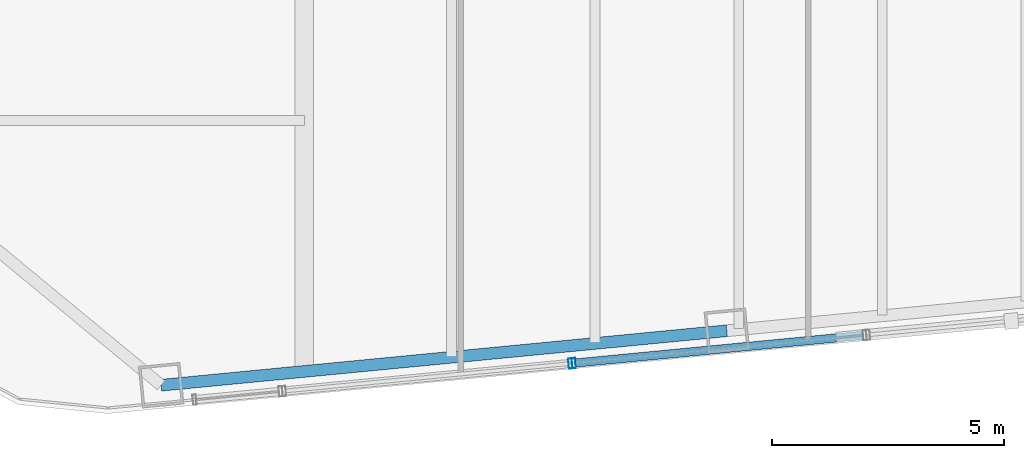
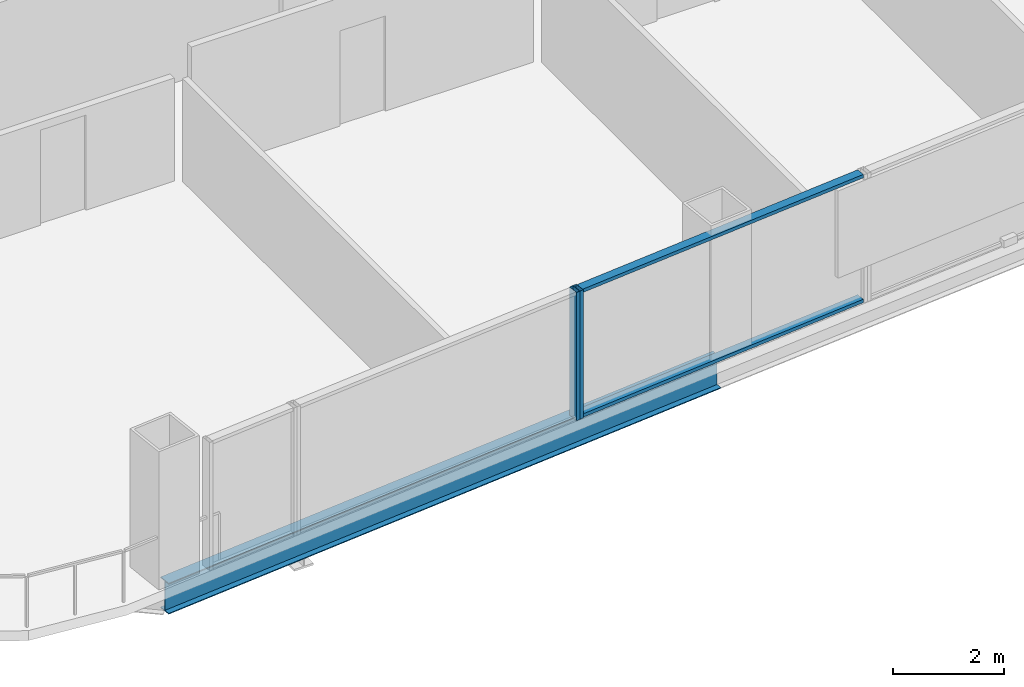
# One storey, part 4 of 28: 4 members, 1 beam, 2 elements without a shape of their own.
"""IFC4 building model written with IfcOpenShell, lengths in metres."""

from ifc_helpers import new_model, si_unit, direction, frame, origin, origin_2d, place, context, subcontext, project, spatial, hollow_rectangle, i_section, extrude, material, layer, layer_set, material_profile, profile_set, type_object, element, aggregate, save


model = new_model("IFC4")

# Units and contexts
model_context = context("Model", 3, precision=1e-05, world=origin(), true_north=direction((0.0, 1.0)))
body_context = subcontext(model_context, "Body", "Model", "MODEL_VIEW")
ifc_project = project(units=[si_unit("LENGTHUNIT", "METRE"), si_unit("AREAUNIT", "SQUARE_METRE"), si_unit("VOLUMEUNIT", "CUBIC_METRE"), si_unit("PLANEANGLEUNIT", "RADIAN"), si_unit("MASSUNIT", "GRAM", prefix="KILO")], contexts=[model_context])

# Site, building, storey
site_placement = place(None, origin())
site = spatial("IfcSite", under=ifc_project, at=site_placement, CompositionType="ELEMENT")
building_placement = place(site_placement, origin())
building = spatial("IfcBuilding", under=site, at=building_placement, Name="Qhalaya Broadcast Tower", CompositionType="ELEMENT")
storey_placement = place(building_placement, frame((0.0, 0.0, 90.800048828125)))
storey = spatial("IfcBuildingStorey", under=building, at=storey_placement, Name="L26", CompositionType="ELEMENT", Elevation=90.800048828125)

# Beam
ifc_material_1 = material(Name="Structural Steel ASTM A992 Grade 50", Category="steel")
ifc_material_profile_1 = material_profile(ifc_material_1, i_section(OverallWidth=0.25390625, OverallDepth=0.68310546875, WebThickness=0.012451171875, FlangeThickness=0.01904296875, at=origin_2d()), Name="W27X94")
ifc_profile_set_1 = profile_set([ifc_material_profile_1], Name="Structural Steel ASTM A992 Grade 50")
beam_type = type_object("IfcBeamType", Name="Perimeter Ring Spandrel Beam SP1", PredefinedType="SPANDREL", material=ifc_profile_set_1)
beam_placement = place(storey_placement, frame((-12.46533203125, -22.212646484375, -0.5615234375), z_axis=(0.99539563662, 0.095851586307, 0.0), x_axis=(-0.095851586307, 0.99539563662, 0.0)))
element("IfcBeam", 1, at=beam_placement, inside=storey, type_object=beam_type, Name="L26 SP1 L26-SPR-01", PredefinedType="SPANDREL", context=body_context, shape_type="SweptSolid", body=[
    extrude(i_section(OverallWidth=0.25390625, OverallDepth=0.68310546875, WebThickness=0.012451171875, FlangeThickness=0.01904296875, at=origin_2d()), origin(), (0.0, 0.0, 1.0), 12.2666015625),
])

# Curtain wall, member
ifc_material_2 = material(Name="Fired Architectural Terracotta", Category="masonry")
ifc_layer_1 = layer(ifc_material_2, 0.219970703125, Name="Fired Architectural Terracotta")
ifc_layer_set_1 = layer_set([ifc_layer_1], Name="Fired Architectural Terracotta")
curtain_wall_type_1 = type_object("IfcCurtainWallType", Name="Block-Cap Unitised Terracotta Spandrel Wall CW-07", PredefinedType="NOTDEFINED", material=ifc_layer_set_1)
curtain_wall_1_placement = place(storey_placement, origin())
curtain_wall_1 = element("IfcCurtainWall", 2, at=curtain_wall_1_placement, inside=storey, type_object=curtain_wall_type_1, Name="L26 Unitised Curtain Wall L26-CW-S2", PredefinedType="NOTDEFINED")
ifc_material_3 = material(Name="Anodised Aluminium 6063-T6", Category="aluminium")
ifc_material_profile_2 = material_profile(ifc_material_3, hollow_rectangle(XDim=0.074951171875, YDim=0.219970703125, WallThickness=0.00390625, at=origin_2d()), Name="ALU-MUL 75x220x4")
ifc_profile_set_2 = profile_set([ifc_material_profile_2], Name="Anodised Aluminium 6063-T6")
member_type_1 = type_object("IfcMemberType", Name="Unitised Curtain-Wall Mullion M01", PredefinedType="MULLION", material=ifc_profile_set_2)
member_1_placement = place(storey_placement, frame((-3.63330078125, -21.743896484375, 0.0), z_axis=(0.0, 0.0, 1.0), x_axis=(0.995394666059, 0.095861664819, 0.0)))
member_1 = element("IfcMember", 3, at=member_1_placement, type_object=member_type_1, Name="CW-07 mullion 2", PredefinedType="MULLION", context=body_context, shape_type="SweptSolid", body=[
    extrude(hollow_rectangle(XDim=0.074951171875, YDim=0.219970703125, WallThickness=0.00390625, at=origin_2d()), origin(), (0.0, 0.0, 1.0), 2.829833984375),
])
aggregate(curtain_wall_1, [member_1])

# Curtain wall, members
ifc_material_4 = material(Name="Solar-Control Low-E Triple Glazing", Category="glass")
ifc_layer_2 = layer(ifc_material_4, 0.219970703125, Name="Solar-Control Low-E Triple Glazing")
ifc_layer_set_2 = layer_set([ifc_layer_2], Name="Solar-Control Low-E Triple Glazing")
curtain_wall_type_2 = type_object("IfcCurtainWallType", Name="Even-Block 4-Storey Double-Module Curtain Wall CW-03", PredefinedType="NOTDEFINED", material=ifc_layer_set_2)
curtain_wall_2_placement = place(storey_placement, origin())
curtain_wall_2 = element("IfcCurtainWall", 4, at=curtain_wall_2_placement, inside=storey, type_object=curtain_wall_type_2, Name="L26 Unitised Curtain Wall L26-CW-S3", PredefinedType="NOTDEFINED")
member_2_placement = place(storey_placement, frame((-3.55859375, -21.73681640625, 0.0), z_axis=(0.0, 0.0, 1.0), x_axis=(0.99539731409, 0.095834164588, 0.0)))
member_2 = element("IfcMember", 5, at=member_2_placement, type_object=member_type_1, Name="CW-03 mullion 1", PredefinedType="MULLION", context=body_context, shape_type="SweptSolid", body=[
    extrude(hollow_rectangle(XDim=0.074951171875, YDim=0.219970703125, WallThickness=0.00390625, at=origin_2d()), origin(), (0.0, 0.0, 1.0), 2.829833984375),
])
ifc_material_profile_3 = material_profile(ifc_material_3, hollow_rectangle(XDim=0.074951171875, YDim=0.179931640625, WallThickness=0.00390625, at=origin_2d()), Name="ALU-TRN 75x180x4")
ifc_profile_set_3 = profile_set([ifc_material_profile_3], Name="Anodised Aluminium 6063-T6")
member_type_2 = type_object("IfcMemberType", Name="Unitised Curtain-Wall Transom T01", PredefinedType="USERDEFINED", material=ifc_profile_set_3)
member_3_placement = place(storey_placement, frame((-3.521240234375, -21.733154296875, 0.037353515625), z_axis=(0.995395316305, 0.095854912644, 0.0), x_axis=(0.0, 0.0, 1.0)))
member_3 = element("IfcMember", 6, at=member_3_placement, type_object=member_type_2, Name="CW-03 transom 1.1", ObjectType="TRANSOM", PredefinedType="USERDEFINED", context=body_context, shape_type="SweptSolid", body=[
    extrude(hollow_rectangle(XDim=0.074951171875, YDim=0.179931640625, WallThickness=0.00390625, at=origin_2d()), origin(), (0.0, 0.0, 1.0), 6.235107421875),
])
member_4_placement = place(storey_placement, frame((-3.521240234375, -21.733154296875, 2.79248046875), z_axis=(0.995395316305, 0.095854912644, 0.0), x_axis=(0.0, 0.0, 1.0)))
member_4 = element("IfcMember", 7, at=member_4_placement, type_object=member_type_2, Name="CW-03 transom 1.2", ObjectType="TRANSOM", PredefinedType="USERDEFINED", context=body_context, shape_type="SweptSolid", body=[
    extrude(hollow_rectangle(XDim=0.074951171875, YDim=0.179931640625, WallThickness=0.00390625, at=origin_2d()), origin(), (0.0, 0.0, 1.0), 6.235107421875),
])
aggregate(curtain_wall_2, [member_2, member_3, member_4])

save(model, "model.ifc")
